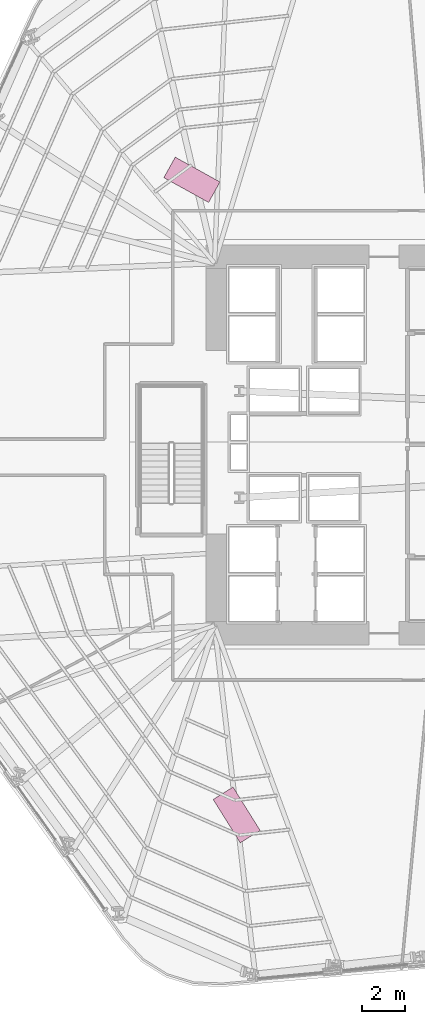
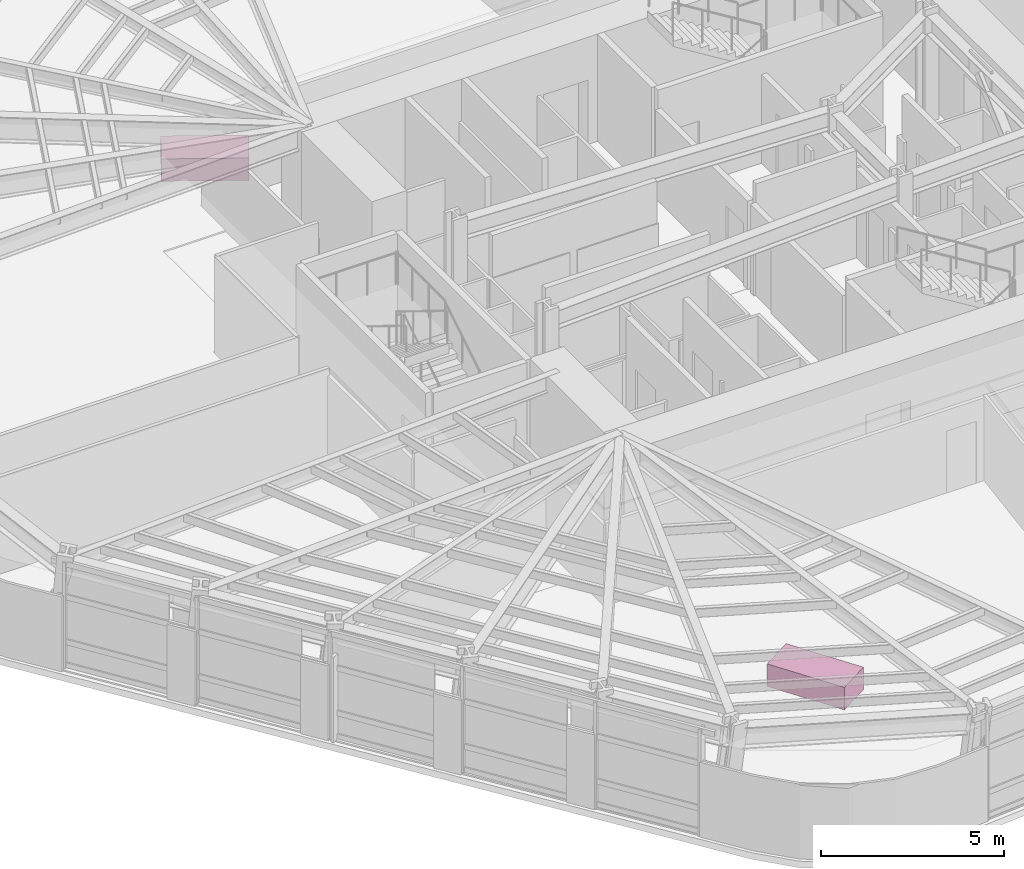
# One storey, part 16 of 16: 2 furniture elements.
"""IFC4 building model written with IfcOpenShell, lengths in metres."""

from ifc_helpers import new_model, si_unit, direction, frame, origin, origin_2d, place, context, subcontext, project, spatial, rectangle, extrude, material, type_object, element, save


model = new_model("IFC4")

# Units and contexts
model_context = context("Model", 3, precision=1e-05, world=origin(), true_north=direction((0.0, 1.0)))
body_context = subcontext(model_context, "Body", "Model", "MODEL_VIEW")
ifc_project = project(units=[si_unit("LENGTHUNIT", "METRE"), si_unit("AREAUNIT", "SQUARE_METRE"), si_unit("VOLUMEUNIT", "CUBIC_METRE"), si_unit("PLANEANGLEUNIT", "RADIAN"), si_unit("MASSUNIT", "GRAM", prefix="KILO")], contexts=[model_context])

# Site, building, storey
site_placement = place(None, origin())
site = spatial("IfcSite", under=ifc_project, at=site_placement, CompositionType="ELEMENT")
building_placement = place(site_placement, origin())
building = spatial("IfcBuilding", under=site, at=building_placement, Name="Valkerne Bourse Tower", CompositionType="ELEMENT")
storey_placement = place(building_placement, frame((0.0, 0.0, 46.800048828125)))
storey = spatial("IfcBuildingStorey", under=building, at=storey_placement, Name="L11", CompositionType="ELEMENT", Elevation=46.800048828125)

# Furniture
ifc_material = material(Name="Architectural White Oak Timber", Category="wood")
furniture_type = type_object("IfcFurnitureType", Name="FURN-DESK-2400", AssemblyPlace="NOTDEFINED", PredefinedType="DESK", material=ifc_material)
for number, where, z_axis, x_axis, name in (
    (1, (38.636962890625, 9.51904296875, 0.044921875), (0.0, 0.0, 1.0), (-0.529919264233, 0.848048096156, 0.0), "L11 Suite Worktable 05"),
    (2, (36.5380859375, 39.306884765625, 0.044921875), (0.0, 0.0, 1.0), (-0.874619707139, 0.484809620246, 0.0), "L11 Suite Worktable 06"),
):
    element("IfcFurniture", number, at=place(storey_placement, frame(where, z_axis=z_axis, x_axis=x_axis)), inside=storey, type_object=furniture_type, Name=name, PredefinedType="DESK", context=body_context, shape_type="SweptSolid", body=[
        extrude(rectangle(XDim=2.39990234375, YDim=1.10009765625, at=origin_2d()), origin(), (0.0, 0.0, 1.0), 0.75),
    ])

save(model, "model.ifc")
